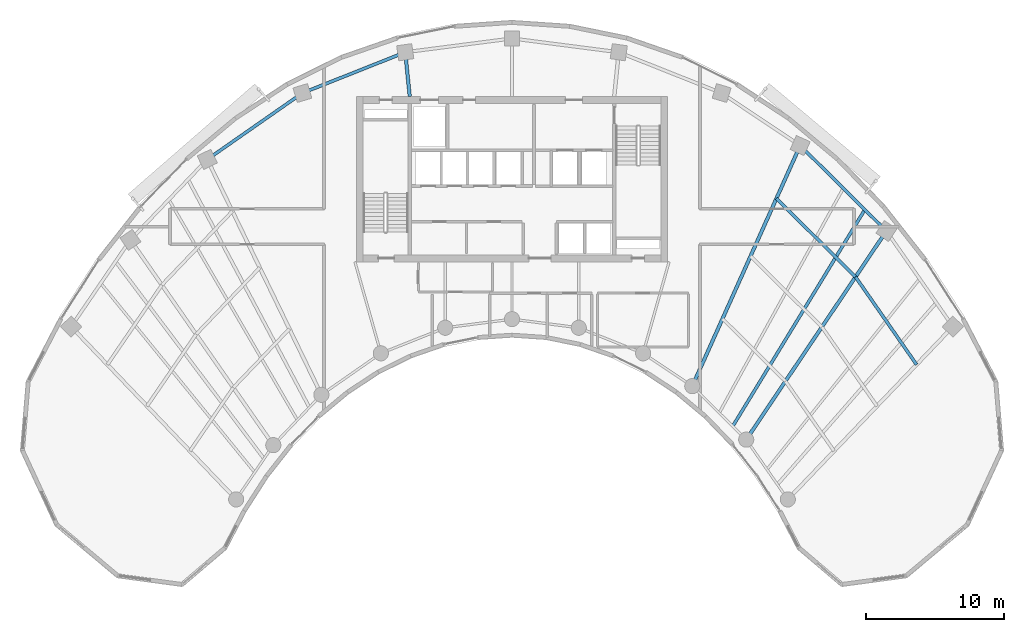
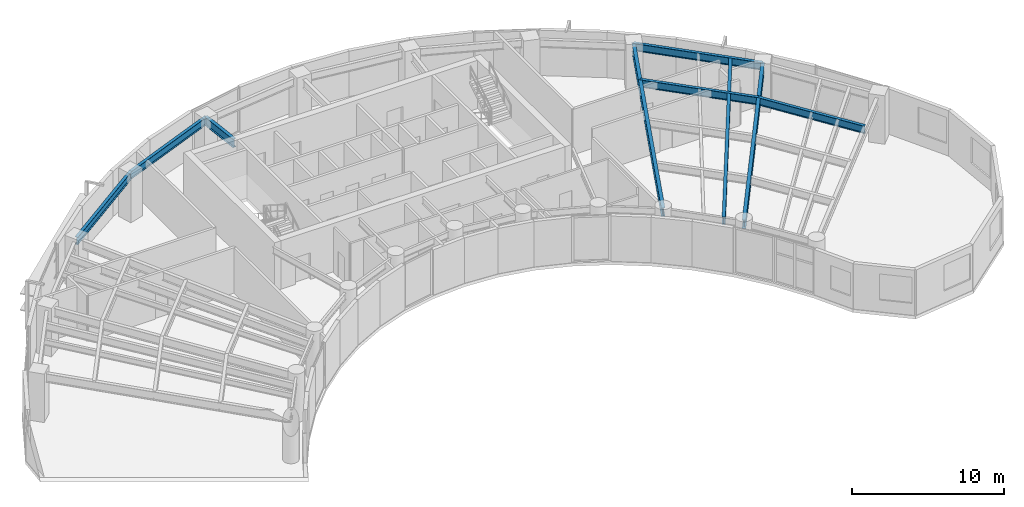
# One storey, part 4 of 13: 9 beams.
"""IFC4 building model written with IfcOpenShell, lengths in metres."""

from ifc_helpers import new_model, si_unit, direction, frame, origin, origin_2d, place, context, subcontext, project, spatial, i_section, extrude, source, transform, mapped, material, material_profile, profile_set, type_object, element, save


model = new_model("IFC4")

# Units and contexts
model_context = context("Model", 3, precision=1e-05, world=origin(), true_north=direction((0.0, 1.0)))
body_context = subcontext(model_context, "Body", "Model", "MODEL_VIEW")
ifc_project = project(units=[si_unit("LENGTHUNIT", "METRE"), si_unit("AREAUNIT", "SQUARE_METRE"), si_unit("VOLUMEUNIT", "CUBIC_METRE"), si_unit("PLANEANGLEUNIT", "RADIAN"), si_unit("MASSUNIT", "GRAM", prefix="KILO")], contexts=[model_context])

# Site, building, storey
site_placement = place(None, origin())
site = spatial("IfcSite", under=ifc_project, at=site_placement, CompositionType="ELEMENT")
building_placement = place(site_placement, origin())
building = spatial("IfcBuilding", under=site, at=building_placement, Name="Breltana Convention Tower", CompositionType="ELEMENT")
storey_placement = place(building_placement, frame((0.0, 0.0, 154.5)))
storey = spatial("IfcBuildingStorey", under=building, at=storey_placement, Name="L37", CompositionType="ELEMENT", Elevation=154.5)

# Beams
ifc_material = material(Name="Steel ASTM A992 Grade 50", Category="steel")
ifc_material_profile_1 = material_profile(ifc_material, i_section(OverallWidth=0.25390625, OverallDepth=0.68798828125, WebThickness=0.01318359375, FlangeThickness=0.02099609375, at=origin_2d()), Name="W27X102")
ifc_profile_set_1 = profile_set([ifc_material_profile_1], Name="Steel ASTM A992 Grade 50")
beam_type_1 = type_object("IfcBeamType", Name="BM-RG-W27X102", PredefinedType="USERDEFINED", material=ifc_profile_set_1)
shared_shape_1 = source(origin(), body_context, "Body", "SweptSolid", [
    extrude(i_section(OverallWidth=0.25390625, OverallDepth=0.68798828125, WebThickness=0.01318359375, FlangeThickness=0.02099609375, at=origin_2d()), origin(), (0.0, 0.0, 1.0), 3.220947265625),
])
beam_1_placement = place(storey_placement, frame((40.580078125, 72.199951171875, 3.305908203125), z_axis=(-0.101492254858, 0.994836329355, 0.0), x_axis=(-0.994836329355, -0.101492254858, 0.0)))
element("IfcBeam", 1, at=beam_1_placement, inside=storey, type_object=beam_type_1, Name="L37 North Core Radial Girder R05", ObjectType="GIRDER", PredefinedType="USERDEFINED", context=body_context, shape_type="MappedRepresentation", body=[
    mapped(shared_shape_1, transform((0.0, 0.0, 0.0), scale=1.0)),
])
shared_shape_2 = source(origin(), body_context, "Body", "SweptSolid", [
    extrude(i_section(OverallWidth=0.25390625, OverallDepth=0.68798828125, WebThickness=0.01318359375, FlangeThickness=0.02099609375, at=origin_2d()), origin(), (0.0, 0.0, 1.0), 19.133544921875),
])
beam_2_placement = place(storey_placement, frame((61.08203125, 51.174560546875, 3.305908203125), z_axis=(0.409144564164, 0.912469575172, 0.0), x_axis=(-0.912469575172, 0.409144564164, 0.0)))
element("IfcBeam", 2, at=beam_2_placement, inside=storey, type_object=beam_type_1, Name="L37 Radial Floor Girder R09", ObjectType="GIRDER", PredefinedType="USERDEFINED", context=body_context, shape_type="MappedRepresentation", body=[
    mapped(shared_shape_2, transform((0.0, 0.0, 0.0), scale=1.0)),
])
shared_shape_3 = source(origin(), body_context, "Body", "SweptSolid", [
    extrude(i_section(OverallWidth=0.25390625, OverallDepth=0.68798828125, WebThickness=0.01318359375, FlangeThickness=0.02099609375, at=origin_2d()), origin(), (0.0, 0.0, 1.0), 18.236328125),
])
beam_3_placement = place(storey_placement, frame((64.995849609375, 47.293701171875, 3.305908203125), z_axis=(0.557730360975, 0.830022195153, 0.0), x_axis=(-0.830022195153, 0.557730360975, 0.0)))
element("IfcBeam", 3, at=beam_3_placement, inside=storey, type_object=beam_type_1, Name="L37 Radial Floor Girder R10", ObjectType="GIRDER", PredefinedType="USERDEFINED", context=body_context, shape_type="MappedRepresentation", body=[
    mapped(shared_shape_3, transform((0.0, 0.0, 0.0), scale=1.0)),
])
ifc_material_profile_2 = material_profile(ifc_material, i_section(OverallWidth=0.22802734375, OverallDepth=0.60791015625, WebThickness=0.01123046875, FlangeThickness=0.017333984375, at=origin_2d()), Name="W24X76")
ifc_profile_set_2 = profile_set([ifc_material_profile_2], Name="Steel ASTM A992 Grade 50")
beam_type_2 = type_object("IfcBeamType", Name="BM-SP-W24X76", PredefinedType="SPANDREL", material=ifc_profile_set_2)
shared_shape_4 = source(origin(), body_context, "Body", "SweptSolid", [
    extrude(i_section(OverallWidth=0.22802734375, OverallDepth=0.60791015625, WebThickness=0.01123046875, FlangeThickness=0.017333984375, at=origin_2d()), origin(), (0.0, 0.0, 1.0), 8.4169921875),
])
beam_4_placement = place(storey_placement, frame((25.8876953125, 67.626953125, 3.345947265625), z_axis=(0.820173800102, 0.572114444519, 0.0), x_axis=(-0.572114444519, 0.820173800102, 0.0)))
element("IfcBeam", 4, at=beam_4_placement, inside=storey, type_object=beam_type_2, Name="L37 Outer Spandrel Beam 03", PredefinedType="SPANDREL", context=body_context, shape_type="MappedRepresentation", body=[
    mapped(shared_shape_4, transform((0.0, 0.0, 0.0), scale=1.0)),
])
shared_shape_5 = source(origin(), body_context, "Body", "SweptSolid", [
    extrude(i_section(OverallWidth=0.22802734375, OverallDepth=0.60791015625, WebThickness=0.01123046875, FlangeThickness=0.017333984375, at=origin_2d()), origin(), (0.0, 0.0, 1.0), 8.028564453125),
])
beam_5_placement = place(storey_placement, frame((32.791015625, 72.4423828125, 3.345947265625), z_axis=(0.929459100394, 0.368925169507, 0.0), x_axis=(-0.368925169507, 0.929459100394, 0.0)))
element("IfcBeam", 5, at=beam_5_placement, inside=storey, type_object=beam_type_2, Name="L37 Outer Spandrel Beam 04", PredefinedType="SPANDREL", context=body_context, shape_type="MappedRepresentation", body=[
    mapped(shared_shape_5, transform((0.0, 0.0, 0.0), scale=1.0)),
])
shared_shape_6 = source(origin(), body_context, "Body", "SweptSolid", [
    extrude(i_section(OverallWidth=0.22802734375, OverallDepth=0.60791015625, WebThickness=0.01123046875, FlangeThickness=0.017333984375, at=origin_2d()), origin(), (0.0, 0.0, 1.0), 8.810302734375),
])
beam_6_placement = place(storey_placement, frame((68.910400390625, 68.63330078125, 3.345947265625), z_axis=(0.710120823582, -0.704079836322, 0.0), x_axis=(0.704079836322, 0.710120823582, 0.0)))
element("IfcBeam", 6, at=beam_6_placement, inside=storey, type_object=beam_type_2, Name="L37 Outer Spandrel Beam 09", PredefinedType="SPANDREL", context=body_context, shape_type="MappedRepresentation", body=[
    mapped(shared_shape_6, transform((0.0, 0.0, 0.0), scale=1.0)),
])
ifc_material_profile_3 = material_profile(ifc_material, i_section(OverallWidth=0.22802734375, OverallDepth=0.60791015625, WebThickness=0.01123046875, FlangeThickness=0.017333984375, at=origin_2d()), Name="W24X76")
ifc_profile_set_3 = profile_set([ifc_material_profile_3], Name="Steel ASTM A992 Grade 50")
beam_type_3 = type_object("IfcBeamType", Name="BM-JSG-02", PredefinedType="JOIST", material=ifc_profile_set_3)
shared_shape_7 = source(origin(), body_context, "Body", "SweptSolid", [
    extrude(i_section(OverallWidth=0.22802734375, OverallDepth=0.60791015625, WebThickness=0.01123046875, FlangeThickness=0.017333984375, at=origin_2d()), origin(), (0.0, 0.0, 1.0), 8.084716796875),
])
beam_7_placement = place(storey_placement, frame((67.188232421875, 64.79248046875, 3.345947265625), z_axis=(0.710105094548, -0.704095699956, 0.0), x_axis=(0.704095699956, 0.710105094548, 0.0)))
element("IfcBeam", 7, at=beam_7_placement, inside=storey, type_object=beam_type_3, Name="L37 Composite Floor Joist 09.3", PredefinedType="JOIST", context=body_context, shape_type="MappedRepresentation", body=[
    mapped(shared_shape_7, transform((0.0, 0.0, 0.0), scale=1.0)),
])
shared_shape_8 = source(origin(), body_context, "Body", "SweptSolid", [
    extrude(i_section(OverallWidth=0.22802734375, OverallDepth=0.60791015625, WebThickness=0.01123046875, FlangeThickness=0.017333984375, at=origin_2d()), origin(), (0.0, 0.0, 1.0), 18.409423828125),
])
beam_8_placement = place(storey_placement, frame((64.017333984375, 48.263916015625, 3.345947265625), z_axis=(0.520682167606, 0.853750596098, 0.0), x_axis=(-0.853750596098, 0.520682167606, 0.0)))
element("IfcBeam", 8, at=beam_8_placement, inside=storey, type_object=beam_type_3, Name="L37 Quarter-Bay Radial Trimmer 09", PredefinedType="JOIST", context=body_context, shape_type="MappedRepresentation", body=[
    mapped(shared_shape_8, transform((0.0, 0.0, 0.0), scale=1.0)),
])
shared_shape_9 = source(origin(), body_context, "Body", "SweptSolid", [
    extrude(i_section(OverallWidth=0.22802734375, OverallDepth=0.60791015625, WebThickness=0.01123046875, FlangeThickness=0.017333984375, at=origin_2d()), origin(), (0.0, 0.0, 1.0), 7.75390625),
])
beam_9_placement = place(storey_placement, frame((72.92919921875, 59.10009765625, 3.345947265625), z_axis=(0.57119271264, -0.820815987312, 0.0), x_axis=(0.820815987312, 0.57119271264, 0.0)))
element("IfcBeam", 9, at=beam_9_placement, inside=storey, type_object=beam_type_3, Name="L37 Composite Floor Joist 10.3", PredefinedType="JOIST", context=body_context, shape_type="MappedRepresentation", body=[
    mapped(shared_shape_9, transform((0.0, 0.0, 0.0), scale=1.0)),
])

save(model, "model.ifc")
